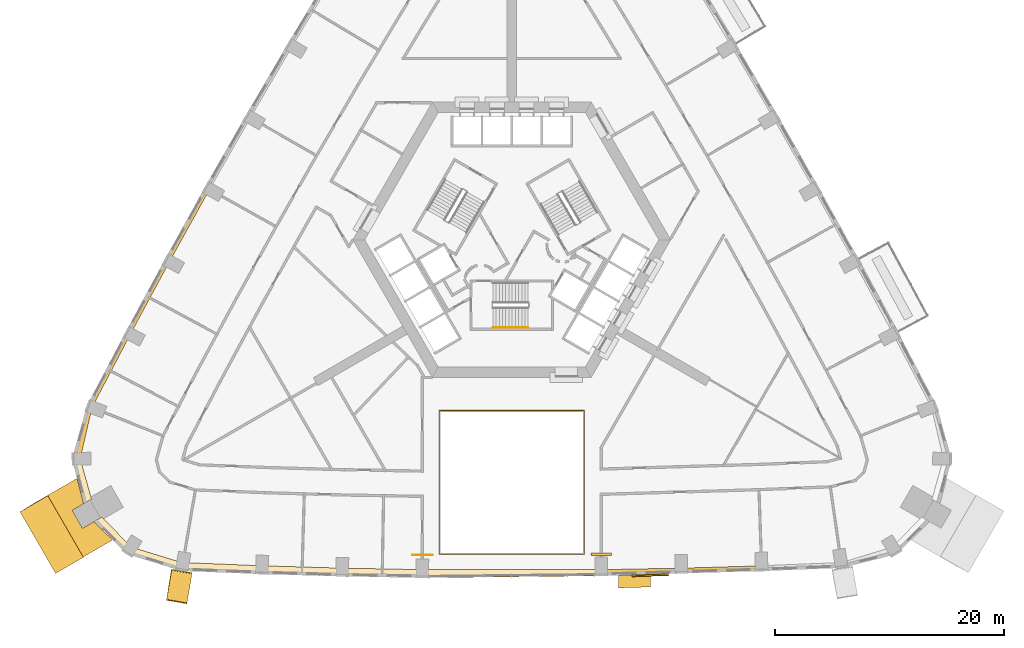
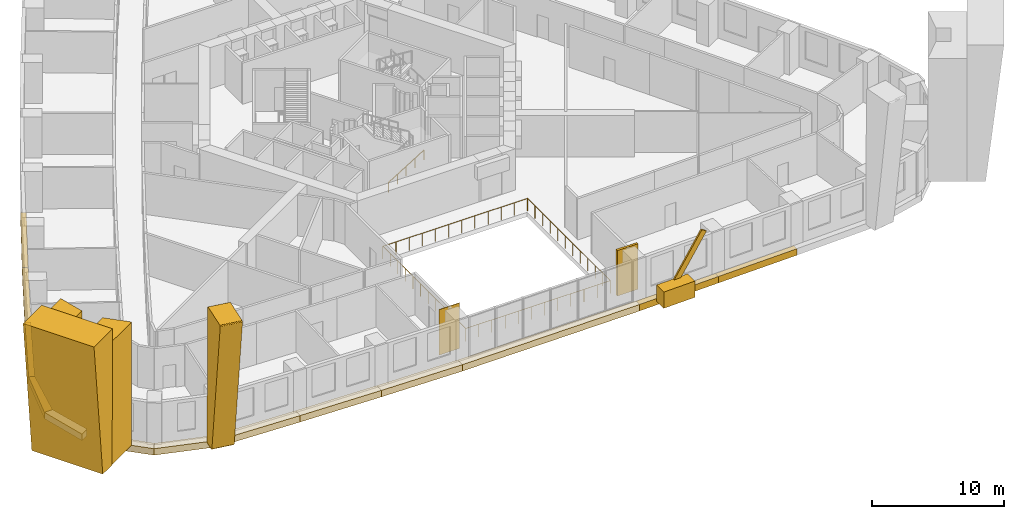
# One storey, part 13 of 15: 19 coverings, 2 railings, 1 shading device.
"""IFC4 building model written with IfcOpenShell, lengths in metres."""

from ifc_helpers import new_model, si_unit, direction, frame, origin, origin_2d, place, context, subcontext, project, spatial, polyline, rectangle, circle, outline, extrude, material, material_profile, profile_set, type_object, element, save


model = new_model("IFC4")

# Units and contexts
model_context = context("Model", 3, precision=1e-05, world=origin(), true_north=direction((0.0, 1.0)))
body_context = subcontext(model_context, "Body", "Model", "MODEL_VIEW")
ifc_project = project(units=[si_unit("LENGTHUNIT", "METRE"), si_unit("AREAUNIT", "SQUARE_METRE"), si_unit("VOLUMEUNIT", "CUBIC_METRE"), si_unit("PLANEANGLEUNIT", "RADIAN"), si_unit("MASSUNIT", "GRAM", prefix="KILO")], contexts=[model_context])

# Site, building, storey
site_placement = place(None, origin())
site = spatial("IfcSite", under=ifc_project, at=site_placement, CompositionType="ELEMENT")
building_placement = place(site_placement, origin())
building = spatial("IfcBuilding", under=site, at=building_placement, Name="Entoto Arch Interchange Tower", CompositionType="ELEMENT")
storey_placement = place(building_placement, frame((0.0, 0.0, 99.199951171875)))
storey = spatial("IfcBuildingStorey", under=building, at=storey_placement, Name="L21", CompositionType="ELEMENT", Elevation=99.199951171875)

# Railing
ifc_material_1 = material(Name="Stainless steel 1.4301", Category="steel")
railing_type_1 = type_object("IfcRailingType", Name="ATRIUM GUARD 1200 STEEL AND GLASS", PredefinedType="GUARDRAIL", material=ifc_material_1)
railing_1_placement = place(storey_placement, frame((6.320068359375, -24.9140625, 0.0)))
element("IfcRailing", 1, at=railing_1_placement, inside=storey, type_object=railing_type_1, Name="Atrium guard L21", PredefinedType="GUARDRAIL", context=body_context, shape_type="SweptSolid", body=[
    extrude(circle(Radius=0.02392578125, at=origin_2d()), frame((0.0, 0.0, 1.17578125), z_axis=(-1.0, 0.0, 0.0), x_axis=(0.0, -1.0, 0.0)), (0.0, 0.0, 1.0), 12.64013671875),
    extrude(circle(Radius=0.02392578125, at=origin_2d()), frame((-12.64013671875, 0.0, 1.17578125), z_axis=(0.0, 1.0, 0.0), x_axis=(-1.0, 0.0, 0.0)), (0.0, 0.0, 1.0), 12.5341796875),
    extrude(circle(Radius=0.02392578125, at=origin_2d()), frame((-12.64013671875, 12.5341796875, 1.17578125), z_axis=(1.0, 0.0, 0.0), x_axis=(0.0, 1.0, 0.0)), (0.0, 0.0, 1.0), 12.64013671875),
    extrude(circle(Radius=0.02392578125, at=origin_2d()), frame((0.0, 12.5341796875, 1.17578125), z_axis=(0.0, -1.0, 0.0), x_axis=(1.0, 0.0, 0.0)), (0.0, 0.0, 1.0), 12.5341796875),
    extrude(circle(Radius=0.02099609375, at=origin_2d()), origin(), (0.0, 0.0, 1.0), 1.15185546875),
    extrude(circle(Radius=0.02099609375, at=origin_2d()), frame((-1.149169921875, 0.0, 0.0)), (0.0, 0.0, 1.0), 1.15185546875),
    extrude(circle(Radius=0.02099609375, at=origin_2d()), frame((-2.298095703125, 0.0, 0.0)), (0.0, 0.0, 1.0), 1.15185546875),
    extrude(circle(Radius=0.02099609375, at=origin_2d()), frame((-3.447265625, 0.0, 0.0)), (0.0, 0.0, 1.0), 1.15185546875),
    extrude(circle(Radius=0.02099609375, at=origin_2d()), frame((-4.596435546875, 0.0, 0.0)), (0.0, 0.0, 1.0), 1.15185546875),
    extrude(circle(Radius=0.02099609375, at=origin_2d()), frame((-5.74560546875, 0.0, 0.0)), (0.0, 0.0, 1.0), 1.15185546875),
    extrude(circle(Radius=0.02099609375, at=origin_2d()), frame((-6.89453125, 0.0, 0.0)), (0.0, 0.0, 1.0), 1.15185546875),
    extrude(circle(Radius=0.02099609375, at=origin_2d()), frame((-8.043701171875, 0.0, 0.0)), (0.0, 0.0, 1.0), 1.15185546875),
    extrude(circle(Radius=0.02099609375, at=origin_2d()), frame((-9.19287109375, 0.0, 0.0)), (0.0, 0.0, 1.0), 1.15185546875),
    extrude(circle(Radius=0.02099609375, at=origin_2d()), frame((-10.342041015625, 0.0, 0.0)), (0.0, 0.0, 1.0), 1.15185546875),
    extrude(circle(Radius=0.02099609375, at=origin_2d()), frame((-11.490966796875, 0.0, 0.0)), (0.0, 0.0, 1.0), 1.15185546875),
    extrude(circle(Radius=0.02099609375, at=origin_2d()), frame((-12.64013671875, 0.0, 0.0)), (0.0, 0.0, 1.0), 1.15185546875),
    extrude(circle(Radius=0.02099609375, at=origin_2d()), frame((-12.64013671875, 1.139404296875, 0.0)), (0.0, 0.0, 1.0), 1.15185546875),
    extrude(circle(Radius=0.02099609375, at=origin_2d()), frame((-12.64013671875, 2.279052734375, 0.0)), (0.0, 0.0, 1.0), 1.15185546875),
    extrude(circle(Radius=0.02099609375, at=origin_2d()), frame((-12.64013671875, 3.41845703125, 0.0)), (0.0, 0.0, 1.0), 1.15185546875),
    extrude(circle(Radius=0.02099609375, at=origin_2d()), frame((-12.64013671875, 4.557861328125, 0.0)), (0.0, 0.0, 1.0), 1.15185546875),
    extrude(circle(Radius=0.02099609375, at=origin_2d()), frame((-12.64013671875, 5.697265625, 0.0)), (0.0, 0.0, 1.0), 1.15185546875),
    extrude(circle(Radius=0.02099609375, at=origin_2d()), frame((-12.64013671875, 6.8369140625, 0.0)), (0.0, 0.0, 1.0), 1.15185546875),
    extrude(circle(Radius=0.02099609375, at=origin_2d()), frame((-12.64013671875, 7.976318359375, 0.0)), (0.0, 0.0, 1.0), 1.15185546875),
    extrude(circle(Radius=0.02099609375, at=origin_2d()), frame((-12.64013671875, 9.11572265625, 0.0)), (0.0, 0.0, 1.0), 1.15185546875),
    extrude(circle(Radius=0.02099609375, at=origin_2d()), frame((-12.64013671875, 10.255126953125, 0.0)), (0.0, 0.0, 1.0), 1.15185546875),
    extrude(circle(Radius=0.02099609375, at=origin_2d()), frame((-12.64013671875, 11.394775390625, 0.0)), (0.0, 0.0, 1.0), 1.15185546875),
    extrude(circle(Radius=0.02099609375, at=origin_2d()), frame((-12.64013671875, 12.5341796875, 0.0)), (0.0, 0.0, 1.0), 1.15185546875),
    extrude(circle(Radius=0.02099609375, at=origin_2d()), frame((-11.490966796875, 12.5341796875, 0.0)), (0.0, 0.0, 1.0), 1.15185546875),
    extrude(circle(Radius=0.02099609375, at=origin_2d()), frame((-10.342041015625, 12.5341796875, 0.0)), (0.0, 0.0, 1.0), 1.15185546875),
    extrude(circle(Radius=0.02099609375, at=origin_2d()), frame((-9.19287109375, 12.5341796875, 0.0)), (0.0, 0.0, 1.0), 1.15185546875),
    extrude(circle(Radius=0.02099609375, at=origin_2d()), frame((-8.043701171875, 12.5341796875, 0.0)), (0.0, 0.0, 1.0), 1.15185546875),
    extrude(circle(Radius=0.02099609375, at=origin_2d()), frame((-6.89453125, 12.5341796875, 0.0)), (0.0, 0.0, 1.0), 1.15185546875),
    extrude(circle(Radius=0.02099609375, at=origin_2d()), frame((-5.74560546875, 12.5341796875, 0.0)), (0.0, 0.0, 1.0), 1.15185546875),
    extrude(circle(Radius=0.02099609375, at=origin_2d()), frame((-4.596435546875, 12.5341796875, 0.0)), (0.0, 0.0, 1.0), 1.15185546875),
    extrude(circle(Radius=0.02099609375, at=origin_2d()), frame((-3.447265625, 12.5341796875, 0.0)), (0.0, 0.0, 1.0), 1.15185546875),
    extrude(circle(Radius=0.02099609375, at=origin_2d()), frame((-2.298095703125, 12.5341796875, 0.0)), (0.0, 0.0, 1.0), 1.15185546875),
    extrude(circle(Radius=0.02099609375, at=origin_2d()), frame((-1.149169921875, 12.5341796875, 0.0)), (0.0, 0.0, 1.0), 1.15185546875),
    extrude(circle(Radius=0.02099609375, at=origin_2d()), frame((0.0, 12.5341796875, 0.0)), (0.0, 0.0, 1.0), 1.15185546875),
    extrude(circle(Radius=0.02099609375, at=origin_2d()), frame((0.0, 11.394775390625, 0.0)), (0.0, 0.0, 1.0), 1.15185546875),
    extrude(circle(Radius=0.02099609375, at=origin_2d()), frame((0.0, 10.255126953125, 0.0)), (0.0, 0.0, 1.0), 1.15185546875),
    extrude(circle(Radius=0.02099609375, at=origin_2d()), frame((0.0, 9.11572265625, 0.0)), (0.0, 0.0, 1.0), 1.15185546875),
    extrude(circle(Radius=0.02099609375, at=origin_2d()), frame((0.0, 7.976318359375, 0.0)), (0.0, 0.0, 1.0), 1.15185546875),
    extrude(circle(Radius=0.02099609375, at=origin_2d()), frame((0.0, 6.8369140625, 0.0)), (0.0, 0.0, 1.0), 1.15185546875),
    extrude(circle(Radius=0.02099609375, at=origin_2d()), frame((0.0, 5.697265625, 0.0)), (0.0, 0.0, 1.0), 1.15185546875),
    extrude(circle(Radius=0.02099609375, at=origin_2d()), frame((0.0, 4.557861328125, 0.0)), (0.0, 0.0, 1.0), 1.15185546875),
    extrude(circle(Radius=0.02099609375, at=origin_2d()), frame((0.0, 3.41845703125, 0.0)), (0.0, 0.0, 1.0), 1.15185546875),
    extrude(circle(Radius=0.02099609375, at=origin_2d()), frame((0.0, 2.279052734375, 0.0)), (0.0, 0.0, 1.0), 1.15185546875),
    extrude(circle(Radius=0.02099609375, at=origin_2d()), frame((0.0, 1.139404296875, 0.0)), (0.0, 0.0, 1.0), 1.15185546875),
])

# Shading device
ifc_material_2 = material(Name="Board-marked precast concrete C50/60", Category="concrete")
ifc_material_profile = material_profile(ifc_material_2, rectangle(XDim=0.14990234375, YDim=0.5, at=origin_2d()))
ifc_profile_set = profile_set([ifc_material_profile], Name="Board-marked precast concrete C50/60")
shading_device_type = type_object("IfcShadingDeviceType", Name="FOLD BAND PRECAST 150x500", PredefinedType="USERDEFINED", material=ifc_profile_set)
shading_device_placement = place(storey_placement, frame((10.68701171875, -26.780029296875, 0.25), z_axis=(0.550493955954, 0.0168845317, 0.834668387473), x_axis=(-0.030657185386, 0.999529958022, 0.0)))
element("IfcShadingDevice", 2, at=shading_device_placement, inside=storey, type_object=shading_device_type, Name="Fold band L21", ObjectType="FOLD BAND", PredefinedType="USERDEFINED", context=body_context, shape_type="SweptSolid", body=[
    extrude(rectangle(XDim=0.14990234375, YDim=0.5, at=origin_2d()), origin(), (0.0, 0.0, 1.0), 5.031982421875),
])

# Coverings
covering_type_1 = type_object("IfcCoveringType", Name="PRECAST FRAME COURSE", PredefinedType="CLADDING", material=ifc_material_2)
covering_1_placement = place(storey_placement, frame((0.0, 0.0, -0.39990234375)))
element("IfcCovering", 3, at=covering_1_placement, inside=storey, type_object=covering_type_1, Name="Corner pilaster SW L21-L23", PredefinedType="CLADDING", context=body_context, shape_type="SweptSolid", body=[
    extrude(outline(polyline([(-37.35791015625, -25.14892578125), (-40.4580078125, -19.779052734375), (-37.89697265625, -18.301025390625), (-37.323974609375, -20.510009765625), (-38.318115234375, -21.0849609375), (-37.41796875, -22.64306640625), (-36.423095703125, -22.069091796875), (-34.797119140625, -23.669921875), (-37.35791015625, -25.14892578125)])), origin(), (0.0, 0.0, 1.0), 11.39990234375),
])
covering_2_placement = place(storey_placement, frame((-40.4580078125, -19.779052734375, -0.39990234375), z_axis=(-0.500228101206, 0.865888531709, 0.002982854052), x_axis=(-0.865892382305, -0.500230329214, 1.015931e-06)))
element("IfcCovering", 4, at=covering_2_placement, inside=storey, type_object=covering_type_1, Name="Corner rib SW L21-L23", PredefinedType="CLADDING", context=body_context, shape_type="SweptSolid", body=[
    extrude(outline(polyline([(0.0, 0.0), (1.4125786075117948, -4.336808689942018e-19), (2.803751572878836, 12.599906720657929), (1.0722611040818897e-05, 12.599911004167259), (0.0, 0.0)])), origin(), (0.0, 0.0, -1.0), 6.199951171875),
])
covering_3_placement = place(storey_placement, frame((-29.696044921875, -26.362060546875, -0.39990234375), z_axis=(-0.985768943306, 0.168079557143, 0.002975379796), x_axis=(0.167547198714, 0.980897073297, 0.098837582934)))
element("IfcCovering", 5, at=covering_3_placement, inside=storey, type_object=covering_type_1, Name="Fold rib S01 L21-L23", PredefinedType="CLADDING", context=body_context, shape_type="SweptSolid", body=[
    extrude(outline(polyline([(0.0, 0.0), (0.029646311984999826, 4.336808689942018e-19), (0.05863692693749115, -0.005214177261337814), (0.08625590232071971, -0.016457474341148373), (0.11034545877701446, -0.03320185162049148), (0.13082585003783204, -0.05422924521074042), (0.14738520847082437, -0.07883473131918255), (0.15840694007767328, -0.10571128889896955), (0.164152164015333, -0.1343347366729641), (1.3802884831120175, -12.374171601404635), (1.3801226429495823, -12.40338222813689), (1.3748071381255484, -12.431880214392825), (1.3631721804919885, -12.45928867931978), (1.3373124949143431, -12.49497755691548), (1.3020349207177093, -12.521542019993761), (1.2745959984592852, -12.532365498162594), (1.2458091948391328, -12.538168905281108), (-1.1973359584369723, -12.780831454439165), (-1.2267018885196261, -12.780804202590515), (-1.2559935499382557, -12.774634965186985), (-1.2836474767569648, -12.763398860333021), (-1.308832366666296, -12.745781684142349), (-1.329409279004197, -12.723782514057573), (-1.3461322577484334, -12.699190401031002), (-1.35611220801444, -12.670986772167986), (-1.3616066059355065, -12.625408911237932), (-0.8869706270035657, -0.20365296393803847), (-0.8806248240735777, -0.17578817574026678), (-0.8689450716069546, -0.14960496692778374), (-0.8426937721284177, -0.11583907701342508), (-0.8085432551337273, -0.09134773962651341), (-0.7681142423953591, -0.07727343457932383), (0.0, 0.0)])), origin(), (0.0, 0.0, -1.0), 1.800048828125),
])
covering_4_placement = place(storey_placement, frame((0.0, 0.0, -0.39990234375)))
element("IfcCovering", 6, at=covering_4_placement, inside=storey, type_object=covering_type_1, Name="Gate pier L21", PredefinedType="CLADDING", context=body_context, shape_type="SweptSolid", body=[
    extrude(outline(polyline([(-8.69189453125, -24.966064453125), (-6.89208984375, -24.966064453125), (-6.89208984375, -24.9990234375), (-8.69189453125, -24.9990234375), (-8.69189453125, -24.966064453125)])), origin(), (0.0, 0.0, 1.0), 4.199951171875),
])
covering_5_placement = place(storey_placement, frame((0.0, 0.0, -0.39990234375)))
element("IfcCovering", 7, at=covering_5_placement, inside=storey, type_object=covering_type_1, Name="Gate pier L21", PredefinedType="CLADDING", context=body_context, shape_type="SweptSolid", body=[
    extrude(outline(polyline([(6.89208984375, -24.7939453125), (8.69189453125, -24.7939453125), (8.69189453125, -24.9990234375), (6.89208984375, -24.9990234375), (6.89208984375, -24.7939453125)])), origin(), (0.0, 0.0, 1.0), 4.199951171875),
])
covering_6_placement = place(storey_placement, frame((0.0, 0.0, -0.64990234375)))
element("IfcCovering", 8, at=covering_6_placement, inside=storey, type_object=covering_type_1, Name="Fold crease ribbon L21", PredefinedType="CLADDING", context=body_context, shape_type="SweptSolid", body=[
    extrude(outline(polyline([(9.300048828125, -27.847900390625), (9.300048828125, -26.748046875), (12.070068359375, -26.6630859375), (12.070068359375, -27.762939453125), (9.300048828125, -27.847900390625)])), origin(), (0.0, 0.0, 1.0), 1.5),
])
covering_type_2 = type_object("IfcCoveringType", Name="PRECAST LEDGE COURSE", PredefinedType="CLADDING", material=ifc_material_2)
covering_7_placement = place(storey_placement, frame((0.0, 0.0, -1.0)))
element("IfcCovering", 9, at=covering_7_placement, inside=storey, type_object=covering_type_2, Name="Precast course S-01 L21", PredefinedType="CLADDING", context=body_context, shape_type="SweptSolid", body=[
    extrude(outline(polyline([(-21.7890625, -25.9140625), (-21.7890625, -26.64208984375), (-28.783935546875, -26.364990234375), (-28.783935546875, -25.626953125), (-21.7890625, -25.9140625)])), origin(), (0.0, 0.0, 1.0), 0.60009765625),
])
covering_8_placement = place(storey_placement, frame((0.0, 0.0, -1.0)))
element("IfcCovering", 10, at=covering_8_placement, inside=storey, type_object=covering_type_2, Name="Precast course S-02 L21", PredefinedType="CLADDING", context=body_context, shape_type="SweptSolid", body=[
    extrude(outline(polyline([(-14.794921875, -26.1220703125), (-14.794921875, -26.843017578125), (-21.7890625, -26.64208984375), (-21.7890625, -25.9140625), (-14.794921875, -26.1220703125)])), origin(), (0.0, 0.0, 1.0), 0.60009765625),
])
covering_9_placement = place(storey_placement, frame((0.0, 0.0, -1.0)))
element("IfcCovering", 11, at=covering_9_placement, inside=storey, type_object=covering_type_2, Name="Precast course S-03 L21", PredefinedType="CLADDING", context=body_context, shape_type="SweptSolid", body=[
    extrude(outline(polyline([(-7.800048828125, -26.2509765625), (-7.800048828125, -26.966064453125), (-14.794921875, -26.843017578125), (-14.794921875, -26.1220703125), (-7.800048828125, -26.2509765625)])), origin(), (0.0, 0.0, 1.0), 0.60009765625),
])
covering_10_placement = place(storey_placement, frame((0.0, 0.0, -1.0)))
element("IfcCovering", 12, at=covering_10_placement, inside=storey, type_object=covering_type_2, Name="Precast course S-04 L21", PredefinedType="CLADDING", context=body_context, shape_type="SweptSolid", body=[
    extrude(outline(polyline([(7.800048828125, -26.2509765625), (7.800048828125, -26.7939453125), (-7.800048828125, -26.966064453125), (-7.800048828125, -26.2509765625), (7.800048828125, -26.2509765625)])), origin(), (0.0, 0.0, 1.0), 0.60009765625),
])
covering_11_placement = place(storey_placement, frame((0.0, 0.0, -1.0)))
element("IfcCovering", 13, at=covering_11_placement, inside=storey, type_object=covering_type_2, Name="Precast course S-05 L21", PredefinedType="CLADDING", context=body_context, shape_type="SweptSolid", body=[
    extrude(outline(polyline([(14.794921875, -26.1220703125), (14.794921875, -26.5791015625), (7.800048828125, -26.7939453125), (7.800048828125, -26.2509765625), (14.794921875, -26.1220703125)])), origin(), (0.0, 0.0, 1.0), 0.60009765625),
])
covering_12_placement = place(storey_placement, frame((0.0, 0.0, -1.0)))
element("IfcCovering", 14, at=covering_12_placement, inside=storey, type_object=covering_type_2, Name="Precast course S-06 L21", PredefinedType="CLADDING", context=body_context, shape_type="SweptSolid", body=[
    extrude(outline(polyline([(21.7890625, -25.9140625), (21.7890625, -26.3779296875), (14.794921875, -26.5791015625), (14.794921875, -26.1220703125), (21.7890625, -25.9140625)])), origin(), (0.0, 0.0, 1.0), 0.60009765625),
])
covering_13_placement = place(storey_placement, frame((0.0, 0.0, -1.0)))
element("IfcCovering", 15, at=covering_13_placement, inside=storey, type_object=covering_type_2, Name="Precast course NW-06 L21", PredefinedType="CLADDING", context=body_context, shape_type="SweptSolid", body=[
    extrude(outline(polyline([(-29.8291015625, 0.59912109375), (-30.22802734375, 0.81689453125), (-26.73291015625, 7.115966796875), (-26.339111328125, 6.89501953125), (-29.8291015625, 0.59912109375)])), origin(), (0.0, 0.0, 1.0), 0.60009765625),
])
covering_14_placement = place(storey_placement, frame((0.0, 0.0, -1.0)))
element("IfcCovering", 16, at=covering_14_placement, inside=storey, type_object=covering_type_2, Name="Precast course NW-07 L21", PredefinedType="CLADDING", context=body_context, shape_type="SweptSolid", body=[
    extrude(outline(polyline([(-33.243896484375, -5.738037109375), (-33.653076171875, -5.52099609375), (-30.22802734375, 0.81689453125), (-29.8291015625, 0.59912109375), (-33.243896484375, -5.738037109375)])), origin(), (0.0, 0.0, 1.0), 0.60009765625),
])
covering_15_placement = place(storey_placement, frame((0.0, 0.0, -1.0)))
element("IfcCovering", 17, at=covering_15_placement, inside=storey, type_object=covering_type_2, Name="Precast course NW-08 L21", PredefinedType="CLADDING", context=body_context, shape_type="SweptSolid", body=[
    extrude(outline(polyline([(-36.5849609375, -12.114013671875), (-37.031982421875, -11.947998046875), (-33.653076171875, -5.52099609375), (-33.243896484375, -5.738037109375), (-36.5849609375, -12.114013671875)])), origin(), (0.0, 0.0, 1.0), 0.60009765625),
])
covering_16_placement = place(storey_placement, frame((0.0, 0.0, -1.0)))
element("IfcCovering", 18, at=covering_16_placement, inside=storey, type_object=covering_type_2, Name="Precast course SW-01 L21", PredefinedType="CLADDING", context=body_context, shape_type="SweptSolid", body=[
    extrude(outline(polyline([(-37.616943359375, -16.5849609375), (-38.337890625, -16.60205078125), (-37.031982421875, -11.947998046875), (-36.5849609375, -12.114013671875), (-37.616943359375, -16.5849609375)])), origin(), (0.0, 0.0, 1.0), 0.60009765625),
])
covering_17_placement = place(storey_placement, frame((0.0, 0.0, -1.0)))
element("IfcCovering", 19, at=covering_17_placement, inside=storey, type_object=covering_type_2, Name="Precast course SW-02 L21", PredefinedType="CLADDING", context=body_context, shape_type="SweptSolid", body=[
    extrude(outline(polyline([(-36.6279296875, -20.10888671875), (-37.323974609375, -20.510009765625), (-38.337890625, -16.60205078125), (-37.616943359375, -16.5849609375), (-36.6279296875, -20.10888671875)])), origin(), (0.0, 0.0, 1.0), 0.60009765625),
])
covering_18_placement = place(storey_placement, frame((0.0, 0.0, -1.0)))
element("IfcCovering", 20, at=covering_18_placement, inside=storey, type_object=covering_type_2, Name="Precast course SW-03 L21", PredefinedType="CLADDING", context=body_context, shape_type="SweptSolid", body=[
    extrude(outline(polyline([(-33.1708984375, -24.284912109375), (-33.5458984375, -24.90087890625), (-36.423095703125, -22.069091796875), (-35.72802734375, -21.6669921875), (-33.1708984375, -24.284912109375)])), origin(), (0.0, 0.0, 1.0), 0.60009765625),
])
covering_19_placement = place(storey_placement, frame((0.0, 0.0, -1.0)))
element("IfcCovering", 21, at=covering_19_placement, inside=storey, type_object=covering_type_2, Name="Precast course SW-04 L21", PredefinedType="CLADDING", context=body_context, shape_type="SweptSolid", body=[
    extrude(outline(polyline([(-28.783935546875, -25.626953125), (-28.783935546875, -26.364990234375), (-33.5458984375, -24.90087890625), (-33.1708984375, -24.284912109375), (-28.783935546875, -25.626953125)])), origin(), (0.0, 0.0, 1.0), 0.60009765625),
])

# Railing
railing_type_2 = type_object("IfcRailingType", Name="STAIR HANDRAIL 900 STEEL", PredefinedType="HANDRAIL", material=ifc_material_1)
railing_2_placement = place(storey_placement, frame((-1.64990234375, -5.14990234375, 0.175048828125)))
element("IfcRailing", 22, at=railing_2_placement, inside=storey, type_object=railing_type_2, Name="L21 ST-S stair handrail 1", PredefinedType="HANDRAIL", context=body_context, shape_type="SweptSolid", body=[
    extrude(circle(Radius=0.02392578125, at=origin_2d()), frame((0.0, 0.0, 0.8759765625), z_axis=(0.847979421464, 0.0, 0.530029150871), x_axis=(0.0, 1.0, 0.0)), (0.0, 0.0, 1.0), 3.632080078125),
    extrude(circle(Radius=0.02099609375, at=origin_2d()), origin(), (0.0, 0.0, 1.0), 0.851806640625),
    extrude(circle(Radius=0.02099609375, at=origin_2d()), frame((0.77001953125, 0.0, 0.481201171875)), (0.0, 0.0, 1.0), 0.851806640625),
    extrude(circle(Radius=0.02099609375, at=origin_2d()), frame((1.5400390625, 0.0, 0.96240234375)), (0.0, 0.0, 1.0), 0.851806640625),
    extrude(circle(Radius=0.02099609375, at=origin_2d()), frame((2.309814453125, 0.0, 1.44384765625)), (0.0, 0.0, 1.0), 0.851806640625),
    extrude(circle(Radius=0.02099609375, at=origin_2d()), frame((3.079833984375, 0.0, 1.925048828125)), (0.0, 0.0, 1.0), 0.851806640625),
])

save(model, "model.ifc")
